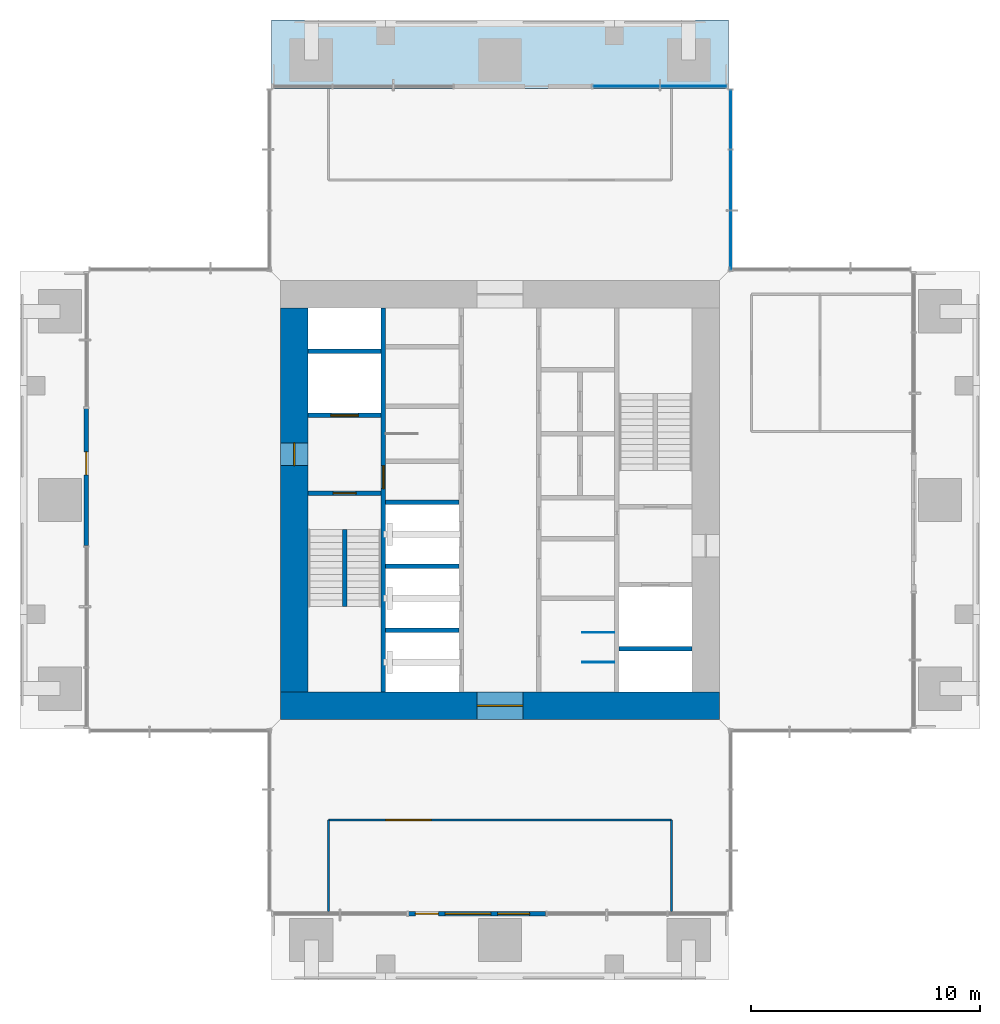
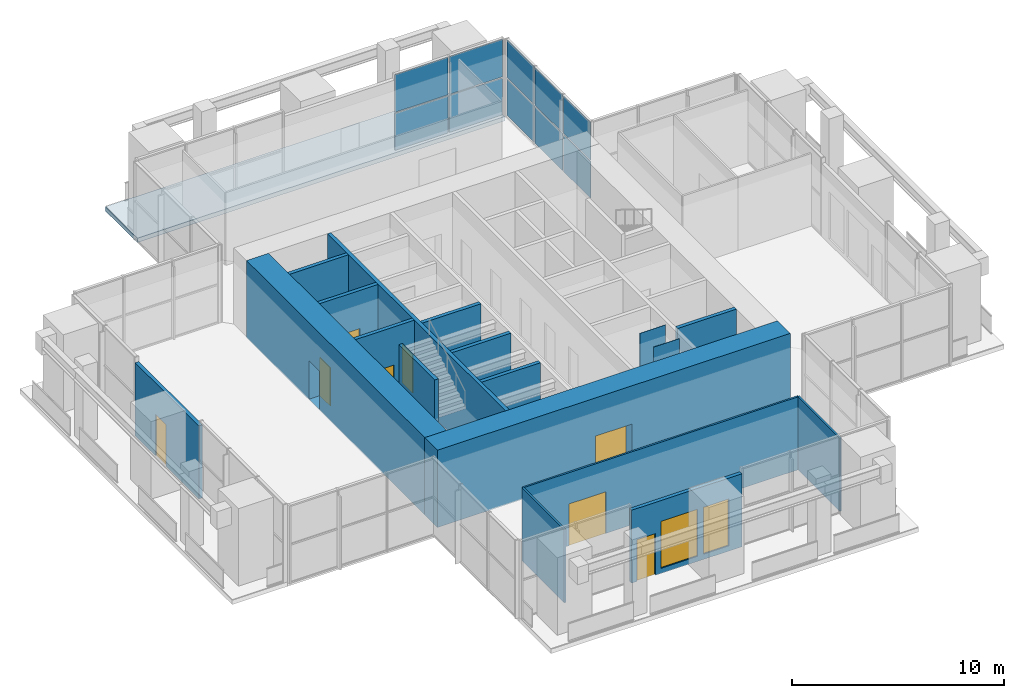
# One storey, part 7 of 11: 18 walls, 10 plates, 8 doors, 2 windows, 1 slab, 10 openings, 2 elements without a shape of their own.
"""IFC4 building model written with IfcOpenShell, lengths in metres."""

from ifc_helpers import new_model, si_unit, direction, frame, frame_2d, origin, origin_2d, place, context, subcontext, project, spatial, polyline, rectangle, outline, extrude, material, layer, layer_set, type_object, element, fill, aggregate, save


model = new_model("IFC4")

# Units and contexts
model_context = context("Model", 3, precision=1e-05, world=origin(), true_north=direction((0.0, 1.0)))
body_context = subcontext(model_context, "Body", "Model", "MODEL_VIEW")
ifc_project = project(units=[si_unit("LENGTHUNIT", "METRE"), si_unit("AREAUNIT", "SQUARE_METRE"), si_unit("VOLUMEUNIT", "CUBIC_METRE"), si_unit("PLANEANGLEUNIT", "RADIAN"), si_unit("MASSUNIT", "GRAM", prefix="KILO")], contexts=[model_context])

# Site, building, storey
site_placement = place(None, origin())
site = spatial("IfcSite", under=ifc_project, at=site_placement, CompositionType="ELEMENT")
building_placement = place(site_placement, origin())
building = spatial("IfcBuilding", under=site, at=building_placement, Name="Svetlomir Tower", CompositionType="ELEMENT")
storey_placement = place(building_placement, frame((0.0, 0.0, 273.39990234375)))
storey = spatial("IfcBuildingStorey", under=building, at=storey_placement, Name="L65", CompositionType="ELEMENT", Elevation=273.39990234375)

# Curtain wall, plates
ifc_material_1 = material(Name="Bronze anodised aluminium curtain wall", Category="aluminium")
curtain_wall_type = type_object("IfcCurtainWallType", Name="CURTAIN WALL CW4 EXECUTIVE", PredefinedType="NOTDEFINED", material=ifc_material_1)
curtain_wall_1_placement = place(storey_placement, origin())
curtain_wall_1 = element("IfcCurtainWall", 1, at=curtain_wall_1_placement, inside=storey, type_object=curtain_wall_type, Name="Curtain wall CW4 L65", PredefinedType="NOTDEFINED")
ifc_material_2 = material(Name="Tinted double glazed unit", Category="glass")
ifc_layer_1 = layer(ifc_material_2, 0.035888671875)
ifc_layer_set_1 = layer_set([ifc_layer_1], Name="Tinted double glazed unit")
plate_type = type_object("IfcPlateType", Name="CW4 GLAZED PANEL 36", PredefinedType="CURTAIN_PANEL", material=ifc_layer_set_1)
plate_1_placement = place(storey_placement, frame((31.10009765625, 32.35205078125, 0.0751953125), z_axis=(0.0, 0.0, 1.0), x_axis=(0.0, 1.0, 0.0)))
plate_1 = element("IfcPlate", 2, at=plate_1_placement, type_object=plate_type, Name="CW4 panel 1.1", PredefinedType="CURTAIN_PANEL", context=body_context, shape_type="SweptSolid", body=[
    extrude(rectangle(XDim=2.55419921875, YDim=0.035888671875, at=origin_2d()), origin(), (0.0, 0.0, 1.0), 2.11865234375),
])
plate_2_placement = place(storey_placement, frame((31.10009765625, 32.35205078125, 2.268798828125), z_axis=(0.0, 0.0, 1.0), x_axis=(0.0, 1.0, 0.0)))
plate_2 = element("IfcPlate", 3, at=plate_2_placement, type_object=plate_type, Name="CW4 panel 1.2", PredefinedType="CURTAIN_PANEL", context=body_context, shape_type="SweptSolid", body=[
    extrude(rectangle(XDim=2.55419921875, YDim=0.035888671875, at=origin_2d()), origin(), (0.0, 0.0, 1.0), 2.15625),
])
plate_3_placement = place(storey_placement, frame((31.10009765625, 35.0, 0.0751953125), z_axis=(0.0, 0.0, 1.0), x_axis=(0.0, 1.0, 0.0)))
plate_3 = element("IfcPlate", 4, at=plate_3_placement, type_object=plate_type, Name="CW4 panel 2.1", PredefinedType="CURTAIN_PANEL", context=body_context, shape_type="SweptSolid", body=[
    extrude(rectangle(XDim=2.591552734375, YDim=0.035888671875, at=origin_2d()), origin(), (0.0, 0.0, 1.0), 2.11865234375),
])
plate_4_placement = place(storey_placement, frame((31.10009765625, 35.0, 2.268798828125), z_axis=(0.0, 0.0, 1.0), x_axis=(0.0, 1.0, 0.0)))
plate_4 = element("IfcPlate", 5, at=plate_4_placement, type_object=plate_type, Name="CW4 panel 2.2", PredefinedType="CURTAIN_PANEL", context=body_context, shape_type="SweptSolid", body=[
    extrude(rectangle(XDim=2.591552734375, YDim=0.035888671875, at=origin_2d()), origin(), (0.0, 0.0, 1.0), 2.15625),
])
plate_5_placement = place(storey_placement, frame((31.10009765625, 37.64794921875, 0.0751953125), z_axis=(0.0, 0.0, 1.0), x_axis=(0.0, 1.0, 0.0)))
plate_5 = element("IfcPlate", 6, at=plate_5_placement, type_object=plate_type, Name="CW4 panel 3.1", PredefinedType="CURTAIN_PANEL", context=body_context, shape_type="SweptSolid", body=[
    extrude(rectangle(XDim=2.55419921875, YDim=0.035888671875, at=origin_2d()), origin(), (0.0, 0.0, 1.0), 2.11865234375),
])
plate_6_placement = place(storey_placement, frame((31.10009765625, 37.64794921875, 2.268798828125), z_axis=(0.0, 0.0, 1.0), x_axis=(0.0, 1.0, 0.0)))
plate_6 = element("IfcPlate", 7, at=plate_6_placement, type_object=plate_type, Name="CW4 panel 3.2", PredefinedType="CURTAIN_PANEL", context=body_context, shape_type="SweptSolid", body=[
    extrude(rectangle(XDim=2.55419921875, YDim=0.035888671875, at=origin_2d()), origin(), (0.0, 0.0, 1.0), 2.15625),
])
aggregate(curtain_wall_1, [plate_1, plate_2, plate_3, plate_4, plate_5, plate_6])

curtain_wall_2_placement = place(storey_placement, origin())
curtain_wall_2 = element("IfcCurtainWall", 8, at=curtain_wall_2_placement, inside=storey, type_object=curtain_wall_type, Name="Curtain wall CW4 L65", PredefinedType="NOTDEFINED")
plate_7_placement = place(storey_placement, frame((29.481201171875, 39.10009765625, 0.0751953125), z_axis=(0.0, 0.0, 1.0), x_axis=(-1.0, 0.0, 0.0)))
plate_7 = element("IfcPlate", 9, at=plate_7_placement, type_object=plate_type, Name="CW4 panel 1.1", PredefinedType="CURTAIN_PANEL", context=body_context, shape_type="SweptSolid", body=[
    extrude(rectangle(XDim=2.887451171875, YDim=0.035888671875, at=origin_2d()), origin(), (0.0, 0.0, 1.0), 2.11865234375),
])
plate_8_placement = place(storey_placement, frame((29.481201171875, 39.10009765625, 2.268798828125), z_axis=(0.0, 0.0, 1.0), x_axis=(-1.0, 0.0, 0.0)))
plate_8 = element("IfcPlate", 10, at=plate_8_placement, type_object=plate_type, Name="CW4 panel 1.2", PredefinedType="CURTAIN_PANEL", context=body_context, shape_type="SweptSolid", body=[
    extrude(rectangle(XDim=2.887451171875, YDim=0.035888671875, at=origin_2d()), origin(), (0.0, 0.0, 1.0), 2.15625),
])
plate_9_placement = place(storey_placement, frame((26.518798828125, 39.10009765625, 0.0751953125), z_axis=(0.0, 0.0, 1.0), x_axis=(-1.0, 0.0, 0.0)))
plate_9 = element("IfcPlate", 11, at=plate_9_placement, type_object=plate_type, Name="CW4 panel 2.1", PredefinedType="CURTAIN_PANEL", context=body_context, shape_type="SweptSolid", body=[
    extrude(rectangle(XDim=2.887451171875, YDim=0.035888671875, at=origin_2d()), origin(), (0.0, 0.0, 1.0), 2.11865234375),
])
plate_10_placement = place(storey_placement, frame((26.518798828125, 39.10009765625, 2.268798828125), z_axis=(0.0, 0.0, 1.0), x_axis=(-1.0, 0.0, 0.0)))
plate_10 = element("IfcPlate", 12, at=plate_10_placement, type_object=plate_type, Name="CW4 panel 2.2", PredefinedType="CURTAIN_PANEL", context=body_context, shape_type="SweptSolid", body=[
    extrude(rectangle(XDim=2.887451171875, YDim=0.035888671875, at=origin_2d()), origin(), (0.0, 0.0, 1.0), 2.15625),
])
aggregate(curtain_wall_2, [plate_7, plate_8, plate_9, plate_10])

# Slab
ifc_material_3 = material(Name="Concrete C60/75", Category="concrete")
ifc_layer_2 = layer(ifc_material_3, 0.25)
ifc_layer_set_2 = layer_set([ifc_layer_2], Name="Concrete C60/75")
slab_type = type_object("IfcSlabType", Name="PLANTED LOGGIA SLAB 250", PredefinedType="FLOOR", material=ifc_layer_set_2)
slab_placement = place(storey_placement, frame((0.0, 0.0, -0.25)))
element("IfcSlab", 13, at=slab_placement, inside=storey, type_object=slab_type, Name="L65 N planted loggia", PredefinedType="FLOOR", context=body_context, shape_type="SweptSolid", body=[
    extrude(outline(polyline([(11.0, 39.0), (31.0, 39.0), (31.0, 42.0), (11.0, 42.0), (11.0, 39.0)])), origin(), (0.0, 0.0, 1.0), 0.25),
])

# Wall, openings, door, windows
ifc_material_4 = material(Name="Bronze anodised aluminium glazed screen", Category="aluminium")
ifc_layer_3 = layer(ifc_material_4, 0.199951171875)
ifc_layer_set_3 = layer_set([ifc_layer_3], Name="Bronze anodised aluminium glazed screen")
wall_type_1 = type_object("IfcWallType", Name="BALCONY SCREEN WALL 200", PredefinedType="USERDEFINED", material=ifc_layer_set_3)
wall_1_placement = place(storey_placement, frame((17.0, 2.89990234375, 0.0), z_axis=(0.0, 0.0, 1.0), x_axis=(1.0, 0.0, 0.0)))
wall_1 = element("IfcWall", 14, at=wall_1_placement, inside=storey, type_object=wall_type_1, Name="Balcony screen S", ObjectType="GLAZED SCREEN", PredefinedType="USERDEFINED", context=body_context, shape_type="SweptSolid", body=[
    extrude(rectangle(XDim=6.0, YDim=0.199951171875, at=frame_2d((3.0, 0.0))), origin(), (0.0, 0.0, 1.0), 4.2001953125),
])
opening_1_placement = place(wall_1_placement, frame((0.300048828125, 0.0, 0.0)))
opening_1 = element("IfcOpeningElement", 15, at=opening_1_placement, cuts=wall_1, Name="Opening BD", PredefinedType="OPENING", context=body_context, shape_type="SweptSolid", body=[
    extrude(rectangle(XDim=1.0, YDim=2.39990234375, at=frame_2d((0.5, 1.199951171875))), frame((0.0, 0.10986328125, 0.0), z_axis=(0.0, -1.0, 0.0), x_axis=(1.0, 0.0, 0.0)), (0.0, 0.0, 1.0), 0.219970703125),
])
opening_2_placement = place(wall_1_placement, frame((1.60009765625, 0.0, 0.300048828125)))
opening_2 = element("IfcOpeningElement", 16, at=opening_2_placement, cuts=wall_1, Name="Opening WS", PredefinedType="OPENING", context=body_context, shape_type="SweptSolid", body=[
    extrude(rectangle(XDim=2.0, YDim=2.699951171875, at=frame_2d((1.0, 1.35009765625))), frame((0.0, 0.10986328125, 0.0), z_axis=(0.0, -1.0, 0.0), x_axis=(1.0, 0.0, 0.0)), (0.0, 0.0, 1.0), 0.219970703125),
])
opening_3_placement = place(wall_1_placement, frame((3.89990234375, 0.0, 0.300048828125)))
opening_3 = element("IfcOpeningElement", 17, at=opening_3_placement, cuts=wall_1, Name="Opening WS2", PredefinedType="OPENING", context=body_context, shape_type="SweptSolid", body=[
    extrude(rectangle(XDim=1.39990234375, YDim=2.699951171875, at=frame_2d((0.699951171875, 1.35009765625))), frame((0.0, 0.10986328125, 0.0), z_axis=(0.0, -1.0, 0.0), x_axis=(1.0, 0.0, 0.0)), (0.0, 0.0, 1.0), 0.219970703125),
])
ifc_material_5 = material(Name="Bronze anodised aluminium glazed door", Category="aluminium")
door_type_1 = type_object("IfcDoorType", Name="BALCONY DOOR BD 1000x2400", OperationType="SINGLE_SWING_LEFT", PredefinedType="DOOR", material=ifc_material_5)
door_1_placement = place(opening_1_placement, origin())
door_1 = element("IfcDoor", 18, at=door_1_placement, inside=storey, type_object=door_type_1, Name="Balcony screen S door", OperationType="SINGLE_SWING_LEFT", OverallHeight=2.39990234375, OverallWidth=1.0, PredefinedType="DOOR", context=body_context, shape_type="SweptSolid", body=[
    extrude(rectangle(XDim=1.0, YDim=2.39990234375, at=frame_2d((0.5, 1.199951171875))), frame((0.0, 0.02490234375, 0.0), z_axis=(0.0, -1.0, 0.0), x_axis=(1.0, 0.0, 0.0)), (0.0, 0.0, 1.0), 0.050048828125),
])
fill(opening_1, door_1)
ifc_material_6 = material(Name="Bronze anodised aluminium window", Category="aluminium")
window_type_1 = type_object("IfcWindowType", Name="SCREEN WINDOW WS 2000x2700", PartitioningType="SINGLE_PANEL", PredefinedType="WINDOW", material=ifc_material_6)
window_1_placement = place(opening_2_placement, origin())
window_1 = element("IfcWindow", 19, at=window_1_placement, inside=storey, type_object=window_type_1, Name="Balcony screen S window 1", OverallHeight=2.699951171875, OverallWidth=2.0, PartitioningType="SINGLE_PANEL", PredefinedType="WINDOW", context=body_context, shape_type="SweptSolid", body=[
    extrude(rectangle(XDim=2.0, YDim=2.699951171875, at=frame_2d((1.0, 1.35009765625))), frame((0.0, 0.030029296875, 0.0), z_axis=(0.0, -1.0, 0.0), x_axis=(1.0, 0.0, 0.0)), (0.0, 0.0, 1.0), 0.06005859375),
])
fill(opening_2, window_1)
ifc_material_7 = material(Name="Bronze anodised aluminium window", Category="aluminium")
window_type_2 = type_object("IfcWindowType", Name="SCREEN WINDOW WS2 1400x2700", PartitioningType="SINGLE_PANEL", PredefinedType="WINDOW", material=ifc_material_7)
window_2_placement = place(opening_3_placement, origin())
window_2 = element("IfcWindow", 20, at=window_2_placement, inside=storey, type_object=window_type_2, Name="Balcony screen S window 2", OverallHeight=2.699951171875, OverallWidth=1.39990234375, PartitioningType="SINGLE_PANEL", PredefinedType="WINDOW", context=body_context, shape_type="SweptSolid", body=[
    extrude(rectangle(XDim=1.39990234375, YDim=2.699951171875, at=frame_2d((0.699951171875, 1.35009765625))), frame((0.0, 0.030029296875, 0.0), z_axis=(0.0, -1.0, 0.0), x_axis=(1.0, 0.0, 0.0)), (0.0, 0.0, 1.0), 0.06005859375),
])
fill(opening_3, window_2)

# Wall, opening, door
wall_2_placement = place(storey_placement, frame((2.89990234375, 25.0, 0.0), z_axis=(0.0, 0.0, 1.0), x_axis=(0.0, -1.0, 0.0)))
wall_2 = element("IfcWall", 21, at=wall_2_placement, inside=storey, type_object=wall_type_1, Name="Balcony screen W", ObjectType="GLAZED SCREEN", PredefinedType="USERDEFINED", context=body_context, shape_type="SweptSolid", body=[
    extrude(rectangle(XDim=6.0, YDim=0.199951171875, at=frame_2d((3.0, 0.0))), origin(), (0.0, 0.0, 1.0), 4.2001953125),
])
opening_4_placement = place(wall_2_placement, frame((1.89990234375, 0.0, 0.0)))
opening_4 = element("IfcOpeningElement", 22, at=opening_4_placement, cuts=wall_2, Name="Opening BD", PredefinedType="OPENING", context=body_context, shape_type="SweptSolid", body=[
    extrude(rectangle(XDim=1.0, YDim=2.39990234375, at=frame_2d((0.5, 1.199951171875))), frame((0.0, 0.10986328125, 0.0), z_axis=(0.0, -1.0, 0.0), x_axis=(1.0, 0.0, 0.0)), (0.0, 0.0, 1.0), 0.219970703125),
])
door_2_placement = place(opening_4_placement, origin())
door_2 = element("IfcDoor", 23, at=door_2_placement, inside=storey, type_object=door_type_1, Name="Balcony screen W door", OperationType="SINGLE_SWING_LEFT", OverallHeight=2.39990234375, OverallWidth=1.0, PredefinedType="DOOR", context=body_context, shape_type="SweptSolid", body=[
    extrude(rectangle(XDim=1.0, YDim=2.39990234375, at=frame_2d((0.5, 1.199951171875))), frame((0.0, 0.02490234375, 0.0), z_axis=(0.0, -1.0, 0.0), x_axis=(1.0, 0.0, 0.0)), (0.0, 0.0, 1.0), 0.050048828125),
])
fill(opening_4, door_2)

ifc_material_8 = material(Name="Concrete C60/75", Category="concrete")
ifc_layer_4 = layer(ifc_material_8, 0.199951171875)
ifc_layer_set_4 = layer_set([ifc_layer_4], Name="Concrete C60/75")
wall_type_2 = type_object("IfcWallType", Name="CORE INNER WALL 200", PredefinedType="SHEAR", material=ifc_layer_set_4)
wall_3_placement = place(storey_placement, frame((15.89990234375, 12.60009765625, -0.0498046875), z_axis=(0.0, 0.0, 1.0), x_axis=(0.0, 1.0, 0.0)))
wall_3 = element("IfcWall", 24, at=wall_3_placement, inside=storey, type_object=wall_type_2, Name="Core inner wall 15.9 L65", PredefinedType="SHEAR", context=body_context, shape_type="SweptSolid", body=[
    extrude(rectangle(XDim=16.7998046875, YDim=0.199951171875, at=frame_2d((8.39990234375, 0.0))), origin(), (0.0, 0.0, 1.0), 4.449951171875),
])
opening_5_placement = place(wall_3_placement, frame((8.89990234375, 0.0, 0.050048828125)))
opening_5 = element("IfcOpeningElement", 25, at=opening_5_placement, cuts=wall_3, Name="Opening DF", PredefinedType="OPENING", context=body_context, shape_type="SweptSolid", body=[
    extrude(rectangle(XDim=1.0, YDim=2.199951171875, at=frame_2d((0.5, 1.10009765625))), frame((0.0, 0.10986328125, 0.0), z_axis=(0.0, -1.0, 0.0), x_axis=(1.0, 0.0, 0.0)), (0.0, 0.0, 1.0), 0.219970703125),
])
ifc_material_9 = material(Name="Steel fire door", Category="steel")
door_type_2 = type_object("IfcDoorType", Name="DOOR DF 1000x2200", OperationType="SINGLE_SWING_LEFT", PredefinedType="DOOR", material=ifc_material_9)
door_3_placement = place(opening_5_placement, origin())
door_3 = element("IfcDoor", 26, at=door_3_placement, inside=storey, type_object=door_type_2, Name="Core corridor west door L65", OperationType="SINGLE_SWING_LEFT", OverallHeight=2.199951171875, OverallWidth=1.0, PredefinedType="DOOR", context=body_context, shape_type="SweptSolid", body=[
    extrude(rectangle(XDim=1.0, YDim=2.199951171875, at=frame_2d((0.5, 1.10009765625))), frame((0.0, 0.02490234375, 0.0), z_axis=(0.0, -1.0, 0.0), x_axis=(1.0, 0.0, 0.0)), (0.0, 0.0, 1.0), 0.050048828125),
])
fill(opening_5, door_3)

wall_4_placement = place(storey_placement, frame((12.60009765625, 21.300048828125, -0.0498046875), z_axis=(0.0, 0.0, 1.0), x_axis=(1.0, 0.0, 0.0)))
wall_4 = element("IfcWall", 27, at=wall_4_placement, inside=storey, type_object=wall_type_2, Name="Core inner wall 12.6-15.8/21.3 L65", PredefinedType="SHEAR", context=body_context, shape_type="SweptSolid", body=[
    extrude(rectangle(XDim=3.199951171875, YDim=0.199951171875, at=frame_2d((1.60009765625, 0.0))), origin(), (0.0, 0.0, 1.0), 4.449951171875),
])
opening_6_placement = place(wall_4_placement, frame((1.10009765625, 0.0, 0.050048828125)))
opening_6 = element("IfcOpeningElement", 28, at=opening_6_placement, cuts=wall_4, Name="Opening DF", PredefinedType="OPENING", context=body_context, shape_type="SweptSolid", body=[
    extrude(rectangle(XDim=1.0, YDim=2.199951171875, at=frame_2d((0.5, 1.10009765625))), frame((0.0, 0.10986328125, 0.0), z_axis=(0.0, -1.0, 0.0), x_axis=(1.0, 0.0, 0.0)), (0.0, 0.0, 1.0), 0.219970703125),
])
door_4_placement = place(opening_6_placement, origin())
door_4 = element("IfcDoor", 29, at=door_4_placement, inside=storey, type_object=door_type_2, Name="Stair S1 door L65", OperationType="SINGLE_SWING_LEFT", OverallHeight=2.199951171875, OverallWidth=1.0, PredefinedType="DOOR", context=body_context, shape_type="SweptSolid", body=[
    extrude(rectangle(XDim=1.0, YDim=2.199951171875, at=frame_2d((0.5, 1.10009765625))), frame((0.0, 0.02490234375, 0.0), z_axis=(0.0, -1.0, 0.0), x_axis=(1.0, 0.0, 0.0)), (0.0, 0.0, 1.0), 0.050048828125),
])
fill(opening_6, door_4)

wall_5_placement = place(storey_placement, frame((12.60009765625, 24.699951171875, -0.0498046875), z_axis=(0.0, 0.0, 1.0), x_axis=(1.0, 0.0, 0.0)))
wall_5 = element("IfcWall", 30, at=wall_5_placement, inside=storey, type_object=wall_type_2, Name="Core inner wall 12.6-15.8/24.7 L65", PredefinedType="SHEAR", context=body_context, shape_type="SweptSolid", body=[
    extrude(rectangle(XDim=3.199951171875, YDim=0.199951171875, at=frame_2d((1.60009765625, 0.0))), origin(), (0.0, 0.0, 1.0), 4.449951171875),
])
opening_7_placement = place(wall_5_placement, frame((1.0, 0.0, 0.050048828125)))
opening_7 = element("IfcOpeningElement", 31, at=opening_7_placement, cuts=wall_5, Name="Opening LD3", PredefinedType="OPENING", context=body_context, shape_type="SweptSolid", body=[
    extrude(rectangle(XDim=1.199951171875, YDim=2.199951171875, at=frame_2d((0.60009765625, 1.10009765625))), frame((0.0, 0.10986328125, 0.0), z_axis=(0.0, -1.0, 0.0), x_axis=(1.0, 0.0, 0.0)), (0.0, 0.0, 1.0), 0.219970703125),
])
ifc_material_10 = material(Name="Stainless steel fire-rated landing door", Category="steel")
door_type_3 = type_object("IfcDoorType", Name="FIREFIGHTING LIFT LANDING DOOR LD3 1200x2200", OperationType="DOUBLE_DOOR_SLIDING", PredefinedType="DOOR", material=ifc_material_10)
door_5_placement = place(opening_7_placement, origin())
door_5 = element("IfcDoor", 32, at=door_5_placement, inside=storey, type_object=door_type_3, Name="Landing door lift FL1 L65", OperationType="DOUBLE_DOOR_SLIDING", OverallHeight=2.199951171875, OverallWidth=1.199951171875, PredefinedType="DOOR", context=body_context, shape_type="SweptSolid", body=[
    extrude(rectangle(XDim=1.199951171875, YDim=2.199951171875, at=frame_2d((0.60009765625, 1.10009765625))), frame((0.0, 0.02490234375, 0.0), z_axis=(0.0, -1.0, 0.0), x_axis=(1.0, 0.0, 0.0)), (0.0, 0.0, 1.0), 0.050048828125),
])
fill(opening_7, door_5)

# Walls
for number, where, z_axis, x_axis, name in (
    (33, (12.60009765625, 27.5, -0.0498046875), (0.0, 0.0, 1.0), (1.0, 0.0, 0.0), "Core inner wall 12.6-15.8/27.5 L65"),
    (34, (16.0, 15.300048828125, -0.0498046875), (0.0, 0.0, 1.0), (1.0, 0.0, 0.0), "Core inner wall 16-19.2/15.3 L65"),
    (35, (16.0, 18.10009765625, -0.0498046875), (0.0, 0.0, 1.0), (1.0, 0.0, 0.0), "Core inner wall 16-19.2/18.1 L65"),
    (36, (16.0, 20.89990234375, -0.0498046875), (0.0, 0.0, 1.0), (1.0, 0.0, 0.0), "Core inner wall 16-19.2/20.9 L65"),
    (37, (26.199951171875, 14.5, -0.0498046875), (0.0, 0.0, 1.0), (1.0, 0.0, 0.0), "Core inner wall 26.2-29.4/14.5 L65"),
):
    element("IfcWall", number, at=place(storey_placement, frame(where, z_axis=z_axis, x_axis=x_axis)), inside=storey, type_object=wall_type_2, Name=name, PredefinedType="SHEAR", context=body_context, shape_type="SweptSolid", body=[
        extrude(rectangle(XDim=3.199951171875, YDim=0.199951171875, at=frame_2d((1.60009765625, 0.0))), origin(), (0.0, 0.0, 1.0), 4.449951171875),
    ])

# Wall, opening, door
ifc_material_11 = material(Name="Concrete C60/75", Category="concrete")
ifc_layer_5 = layer(ifc_material_11, 1.199951171875)
ifc_layer_set_5 = layer_set([ifc_layer_5], Name="Concrete C60/75")
wall_type_3 = type_object("IfcWallType", Name="CORE WALL 1200", PredefinedType="SHEAR", material=ifc_layer_set_5)
wall_6_placement = place(storey_placement, frame((11.39990234375, 12.0, -0.0498046875), z_axis=(0.0, 0.0, 1.0), x_axis=(1.0, 0.0, 0.0)))
wall_6 = element("IfcWall", 38, at=wall_6_placement, inside=storey, type_object=wall_type_3, Name="Core wall south L65", PredefinedType="SHEAR", context=body_context, shape_type="SweptSolid", body=[
    extrude(rectangle(XDim=19.2001953125, YDim=1.199951171875, at=frame_2d((9.60009765625, 0.0))), origin(), (0.0, 0.0, 1.0), 4.449951171875),
])
opening_8_placement = place(wall_6_placement, frame((8.60009765625, 0.0, 0.050048828125)))
opening_8 = element("IfcOpeningElement", 39, at=opening_8_placement, cuts=wall_6, Name="Opening DL", PredefinedType="OPENING", context=body_context, shape_type="SweptSolid", body=[
    extrude(rectangle(XDim=2.0, YDim=2.199951171875, at=frame_2d((1.0, 1.10009765625))), frame((0.0, 0.60986328125, 0.0), z_axis=(0.0, -1.0, 0.0), x_axis=(1.0, 0.0, 0.0)), (0.0, 0.0, 1.0), 1.219970703125),
])
ifc_material_12 = material(Name="Steel fire door", Category="steel")
door_type_4 = type_object("IfcDoorType", Name="DOOR DL 2000x2200", OperationType="DOUBLE_DOOR_SINGLE_SWING", PredefinedType="DOOR", material=ifc_material_12)
door_6_placement = place(opening_8_placement, origin())
door_6 = element("IfcDoor", 40, at=door_6_placement, inside=storey, type_object=door_type_4, Name="Lift lobby south door L65", OperationType="DOUBLE_DOOR_SINGLE_SWING", OverallHeight=2.199951171875, OverallWidth=2.0, PredefinedType="DOOR", context=body_context, shape_type="SweptSolid", body=[
    extrude(rectangle(XDim=2.0, YDim=2.199951171875, at=frame_2d((1.0, 1.10009765625))), frame((0.0, 0.02490234375, 0.0), z_axis=(0.0, -1.0, 0.0), x_axis=(1.0, 0.0, 0.0)), (0.0, 0.0, 1.0), 0.050048828125),
])
fill(opening_8, door_6)

wall_7_placement = place(storey_placement, frame((12.0, 12.60009765625, -0.0498046875), z_axis=(0.0, 0.0, 1.0), x_axis=(0.0, 1.0, 0.0)))
wall_7 = element("IfcWall", 41, at=wall_7_placement, inside=storey, type_object=wall_type_3, Name="Core wall west L65", PredefinedType="SHEAR", context=body_context, shape_type="SweptSolid", body=[
    extrude(rectangle(XDim=16.7998046875, YDim=1.199951171875, at=frame_2d((8.39990234375, 0.0))), origin(), (0.0, 0.0, 1.0), 4.449951171875),
])
opening_9_placement = place(wall_7_placement, frame((9.89990234375, 0.0, 0.050048828125)))
opening_9 = element("IfcOpeningElement", 42, at=opening_9_placement, cuts=wall_7, Name="Opening DF", PredefinedType="OPENING", context=body_context, shape_type="SweptSolid", body=[
    extrude(rectangle(XDim=1.0, YDim=2.199951171875, at=frame_2d((0.5, 1.10009765625))), frame((0.0, 0.60986328125, 0.0), z_axis=(0.0, -1.0, 0.0), x_axis=(1.0, 0.0, 0.0)), (0.0, 0.0, 1.0), 1.219970703125),
])
door_7_placement = place(opening_9_placement, origin())
door_7 = element("IfcDoor", 43, at=door_7_placement, inside=storey, type_object=door_type_2, Name="Firefighting lobby west door L65", OperationType="SINGLE_SWING_LEFT", OverallHeight=2.199951171875, OverallWidth=1.0, PredefinedType="DOOR", context=body_context, shape_type="SweptSolid", body=[
    extrude(rectangle(XDim=1.0, YDim=2.199951171875, at=frame_2d((0.5, 1.10009765625))), frame((0.0, 0.02490234375, 0.0), z_axis=(0.0, -1.0, 0.0), x_axis=(1.0, 0.0, 0.0)), (0.0, 0.0, 1.0), 0.050048828125),
])
fill(opening_9, door_7)

# Wall
ifc_material_13 = material(Name="Framed laminated glass partition", Category="glass")
ifc_layer_6 = layer(ifc_material_13, 0.10009765625)
ifc_layer_set_6 = layer_set([ifc_layer_6], Name="Framed laminated glass partition")
wall_type_4 = type_object("IfcWallType", Name="GLAZED PARTITION 100", PredefinedType="PARTITIONING", material=ifc_layer_set_6)
wall_8_placement = place(storey_placement, frame((13.5, 3.0, 0.0), z_axis=(0.0, 0.0, 1.0), x_axis=(0.0, 1.0, 0.0)))
element("IfcWall", 44, at=wall_8_placement, inside=storey, type_object=wall_type_4, Name="Partition L65", PredefinedType="PARTITIONING", context=body_context, shape_type="SweptSolid", body=[
    extrude(rectangle(XDim=4.0, YDim=0.10009765625, at=frame_2d((2.0, 0.0))), origin(), (0.0, 0.0, 1.0), 4.2001953125),
])

# Wall, opening, door
wall_9_placement = place(storey_placement, frame((13.5, 7.0, 0.0), z_axis=(0.0, 0.0, 1.0), x_axis=(1.0, 0.0, 0.0)))
wall_9 = element("IfcWall", 45, at=wall_9_placement, inside=storey, type_object=wall_type_4, Name="Partition L65", PredefinedType="PARTITIONING", context=body_context, shape_type="SweptSolid", body=[
    extrude(rectangle(XDim=15.0, YDim=0.10009765625, at=frame_2d((7.5, 0.0))), origin(), (0.0, 0.0, 1.0), 4.2001953125),
])
opening_10_placement = place(wall_9_placement, frame((2.5, 0.0, 0.0)))
opening_10 = element("IfcOpeningElement", 46, at=opening_10_placement, cuts=wall_9, Name="Opening DX", PredefinedType="OPENING", context=body_context, shape_type="SweptSolid", body=[
    extrude(rectangle(XDim=2.0, YDim=2.39990234375, at=frame_2d((1.0, 1.199951171875))), frame((0.0, 0.06005859375, 0.0), z_axis=(0.0, -1.0, 0.0), x_axis=(1.0, 0.0, 0.0)), (0.0, 0.0, 1.0), 0.1201171875),
])
ifc_material_14 = material(Name="Walnut veneered timber door", Category="wood")
door_type_5 = type_object("IfcDoorType", Name="DOUBLE DOOR DX 2000x2400", OperationType="DOUBLE_DOOR_SINGLE_SWING", PredefinedType="DOOR", material=ifc_material_14)
door_8_placement = place(opening_10_placement, origin())
door_8 = element("IfcDoor", 47, at=door_8_placement, inside=storey, type_object=door_type_5, Name="Board room door L65", OperationType="DOUBLE_DOOR_SINGLE_SWING", OverallHeight=2.39990234375, OverallWidth=2.0, PredefinedType="DOOR", context=body_context, shape_type="SweptSolid", body=[
    extrude(rectangle(XDim=2.0, YDim=2.39990234375, at=frame_2d((1.0, 1.199951171875))), frame((0.0, 0.02490234375, 0.0), z_axis=(0.0, -1.0, 0.0), x_axis=(1.0, 0.0, 0.0)), (0.0, 0.0, 1.0), 0.050048828125),
])
fill(opening_10, door_8)

# Walls
wall_10_placement = place(storey_placement, frame((28.5, 3.0, 0.0), z_axis=(0.0, 0.0, 1.0), x_axis=(0.0, 1.0, 0.0)))
element("IfcWall", 48, at=wall_10_placement, inside=storey, type_object=wall_type_4, Name="Partition L65", PredefinedType="PARTITIONING", context=body_context, shape_type="SweptSolid", body=[
    extrude(rectangle(XDim=4.0, YDim=0.10009765625, at=frame_2d((2.0, 0.0))), origin(), (0.0, 0.0, 1.0), 4.2001953125),
])
ifc_material_15 = material(Name="Concrete C60/75", Category="concrete")
ifc_layer_7 = layer(ifc_material_15, 0.199951171875)
ifc_layer_set_7 = layer_set([ifc_layer_7], Name="Concrete C60/75")
wall_type_5 = type_object("IfcWallType", Name="STAIR SPINE WALL 200", PredefinedType="PARTITIONING", material=ifc_layer_set_7)
wall_11_placement = place(storey_placement, frame((14.199951171875, 16.340087890625, 0.0), z_axis=(0.0, 0.0, 1.0), x_axis=(0.0, 1.0, 0.0)))
element("IfcWall", 49, at=wall_11_placement, inside=storey, type_object=wall_type_5, Name="Stair S1 spine wall L65", PredefinedType="PARTITIONING", context=body_context, shape_type="SweptSolid", body=[
    extrude(rectangle(XDim=3.35986328125, YDim=0.199951171875, at=frame_2d((1.679931640625, 0.0))), origin(), (0.0, 0.0, 1.0), 4.5),
])
ifc_material_16 = material(Name="Compact laminate panel", Category="plastic")
ifc_layer_8 = layer(ifc_material_16, 0.030029296875)
ifc_layer_set_8 = layer_set([ifc_layer_8], Name="Compact laminate panel")
wall_type_6 = type_object("IfcWallType", Name="WC CUBICLE PARTITION 30", PredefinedType="PARTITIONING", material=ifc_layer_set_8)
for number, where, z_axis, x_axis, name in (
    (50, (24.60009765625, 13.89990234375, 0.0), (0.0, 0.0, 1.0), (1.0, 0.0, 0.0), "WC cubicle partition L65"),
    (51, (24.60009765625, 15.199951171875, 0.0), (0.0, 0.0, 1.0), (1.0, 0.0, 0.0), "WC cubicle partition L65"),
):
    element("IfcWall", number, at=place(storey_placement, frame(where, z_axis=z_axis, x_axis=x_axis)), inside=storey, type_object=wall_type_6, Name=name, PredefinedType="PARTITIONING", context=body_context, shape_type="SweptSolid", body=[
        extrude(rectangle(XDim=1.39990234375, YDim=0.030029296875, at=frame_2d((0.699951171875, 0.0))), origin(), (0.0, 0.0, 1.0), 4.2001953125),
    ])

save(model, "model.ifc")
